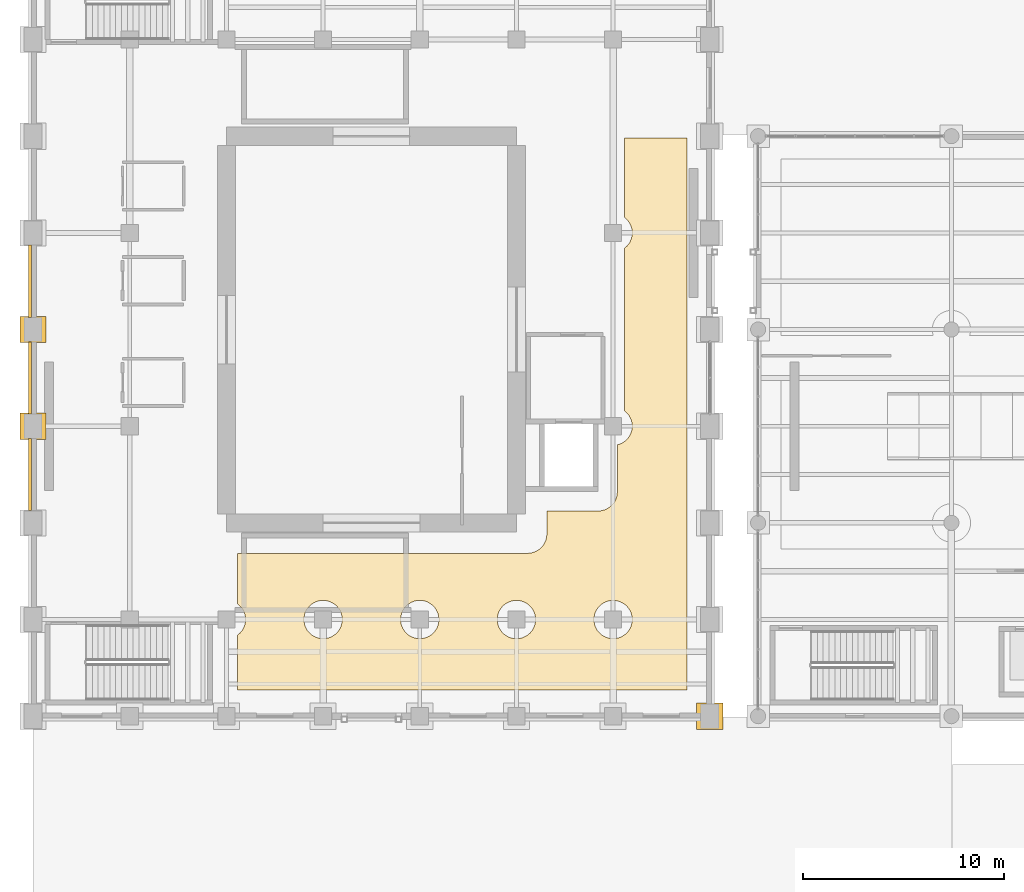
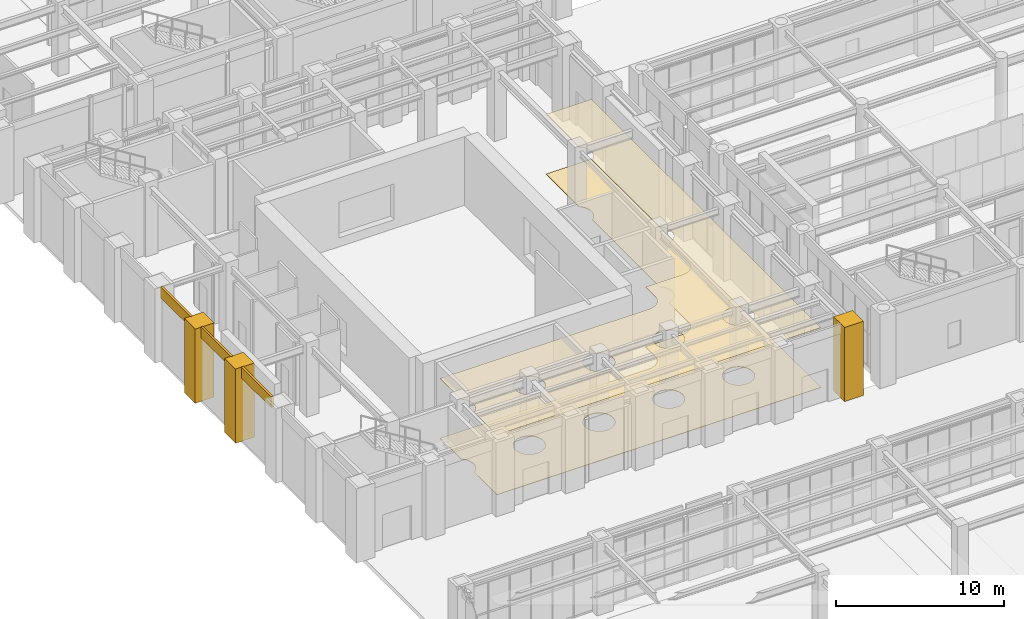
# One storey, part 144 of 164: 8 coverings.
"""IFC4 building model written with IfcOpenShell, lengths in metres."""

from ifc_helpers import new_model, si_unit, direction, frame, origin, place, context, subcontext, project, spatial, polyline, outline, extrude, material, layer, layer_set, type_object, element, save


model = new_model("IFC4")

# Units and contexts
model_context = context("Model", 3, precision=1e-05, world=origin(), true_north=direction((0.0, 1.0)))
body_context = subcontext(model_context, "Body", "Model", "MODEL_VIEW")
ifc_project = project(units=[si_unit("LENGTHUNIT", "METRE"), si_unit("AREAUNIT", "SQUARE_METRE"), si_unit("VOLUMEUNIT", "CUBIC_METRE"), si_unit("PLANEANGLEUNIT", "RADIAN"), si_unit("MASSUNIT", "GRAM", prefix="KILO")], contexts=[model_context])

# Site, building, storey
site_placement = place(None, origin())
site = spatial("IfcSite", under=ifc_project, at=site_placement, CompositionType="ELEMENT")
building_placement = place(site_placement, origin())
building = spatial("IfcBuilding", under=site, at=building_placement, Name="Mavantir Sound Aquarium", CompositionType="ELEMENT")
storey_placement = place(building_placement, origin())
storey = spatial("IfcBuildingStorey", under=building, at=storey_placement, Name="L00", CompositionType="ELEMENT", Elevation=0.0)

# Coverings
ifc_material_1 = material(Name="Moisture-Resistant Acoustic Mineral Fibre Tile")
ifc_layer_1 = layer(ifc_material_1, 0.02490234375, Name="Moisture-Resistant Acoustic Mineral Fibre Tile")
ifc_layer_set_1 = layer_set([ifc_layer_1], Name="Moisture-Resistant Acoustic Mineral Fibre Tile")
covering_type_1 = type_object("IfcCoveringType", Name="COV-CEIL-AC", PredefinedType="CEILING", material=ifc_layer_set_1)
covering_1_placement = place(storey_placement, frame((0.0, 0.0, 4.35888671875)))
element("IfcCovering", 1, at=covering_1_placement, inside=storey, type_object=covering_type_1, Name="L00 Ocean Tank Lower Pelagic Viewing Gallery suspended acoustic ceiling", PredefinedType="CEILING", context=body_context, shape_type="SweptSolid", body=[
    extrude(outline(polyline([(10.159912109375, 48.25), (10.159912109375, 48.255859375), (10.156005859375, 48.889892578125), (24.550048828125, 48.889892578125), (24.595703125, 48.89111328125), (24.6015625, 48.8916015625), (24.69384765625, 48.90087890625), (24.69970703125, 48.90185546875), (24.7763671875, 48.917236328125), (24.781982421875, 48.918701171875), (24.8701171875, 48.945068359375), (24.875732421875, 48.947021484375), (24.95703125, 48.980712890625), (24.96240234375, 48.983154296875), (25.041259765625, 49.025390625), (25.04638671875, 49.0283203125), (25.113525390625, 49.072998046875), (25.118408203125, 49.076416015625), (25.201171875, 49.14453125), (25.205322265625, 49.148681640625), (25.25146484375, 49.194580078125), (25.25537109375, 49.198974609375), (25.323486328125, 49.281494140625), (25.3271484375, 49.286376953125), (25.37158203125, 49.353759765625), (25.37451171875, 49.358642578125), (25.4169921875, 49.437744140625), (25.41943359375, 49.443115234375), (25.452880859375, 49.5244140625), (25.455078125, 49.52978515625), (25.4814453125, 49.617919921875), (25.48291015625, 49.62353515625), (25.498291015625, 49.7001953125), (25.4990234375, 49.7060546875), (25.508544921875, 49.79833984375), (25.5087890625, 49.80419921875), (25.510009765625, 49.85009765625), (25.510009765625, 50.989990234375), (28.050048828125, 50.989990234375), (28.095703125, 50.9912109375), (28.1015625, 50.991455078125), (28.19384765625, 51.0009765625), (28.19970703125, 51.001708984375), (28.2763671875, 51.01708984375), (28.281982421875, 51.0185546875), (28.3701171875, 51.044921875), (28.375732421875, 51.047119140625), (28.45703125, 51.08056640625), (28.46240234375, 51.0830078125), (28.541259765625, 51.12548828125), (28.54638671875, 51.12841796875), (28.613525390625, 51.1728515625), (28.618408203125, 51.176513671875), (28.701171875, 51.24462890625), (28.705322265625, 51.24853515625), (28.75146484375, 51.294677734375), (28.75537109375, 51.298828125), (28.823486328125, 51.381591796875), (28.8271484375, 51.386474609375), (28.87158203125, 51.45361328125), (28.87451171875, 51.458740234375), (28.9169921875, 51.53759765625), (28.91943359375, 51.54296875), (28.952880859375, 51.624267578125), (28.955078125, 51.6298828125), (28.9814453125, 51.718017578125), (28.98291015625, 51.7236328125), (28.998291015625, 51.80029296875), (28.9990234375, 51.80615234375), (29.008544921875, 51.8984375), (29.0087890625, 51.904296875), (29.010009765625, 51.949951171875), (29.010009765625, 54.2744140625), (29.07568359375, 54.291015625), (29.16357421875, 54.322265625), (29.247802734375, 54.3623046875), (29.327880859375, 54.41015625), (29.402587890625, 54.465576171875), (29.4716796875, 54.5283203125), (29.534423828125, 54.597412109375), (29.58984375, 54.672119140625), (29.6376953125, 54.752197265625), (29.677734375, 54.83642578125), (29.708984375, 54.92431640625), (29.731689453125, 55.0146484375), (29.745361328125, 55.10693359375), (29.75, 55.199951171875), (29.745361328125, 55.293212890625), (29.731689453125, 55.38525390625), (29.708984375, 55.475830078125), (29.677734375, 55.5634765625), (29.6376953125, 55.647705078125), (29.58984375, 55.727783203125), (29.534423828125, 55.802734375), (29.4716796875, 55.871826171875), (29.402587890625, 55.934326171875), (29.360107421875, 55.966064453125), (29.360107421875, 59.85009765625), (29.359130859375, 59.8798828125), (29.360107421875, 59.909912109375), (29.360107421875, 64.033935546875), (29.402587890625, 64.065673828125), (29.4716796875, 64.128173828125), (29.534423828125, 64.197265625), (29.58984375, 64.272216796875), (29.6376953125, 64.352294921875), (29.677734375, 64.4365234375), (29.708984375, 64.524169921875), (29.731689453125, 64.61474609375), (29.745361328125, 64.706787109375), (29.75, 64.800048828125), (29.745361328125, 64.89306640625), (29.731689453125, 64.9853515625), (29.708984375, 65.07568359375), (29.677734375, 65.16357421875), (29.6376953125, 65.247802734375), (29.58984375, 65.327880859375), (29.534423828125, 65.402587890625), (29.4716796875, 65.4716796875), (29.402587890625, 65.534423828125), (29.360107421875, 65.56591796875), (29.360107421875, 69.5), (32.4599609375, 69.5), (32.4599609375, 42.10009765625), (10.14990234375, 42.10009765625), (10.14990234375, 44.82666015625), (10.20263671875, 44.865478515625), (10.271728515625, 44.92822265625), (10.33447265625, 44.997314453125), (10.389892578125, 45.072265625), (10.437744140625, 45.152099609375), (10.477783203125, 45.236572265625), (10.509033203125, 45.32421875), (10.53173828125, 45.414794921875), (10.54541015625, 45.5068359375), (10.550048828125, 45.60009765625), (10.54541015625, 45.693115234375), (10.53173828125, 45.785400390625), (10.509033203125, 45.875732421875), (10.477783203125, 45.96337890625), (10.437744140625, 46.0478515625), (10.389892578125, 46.127685546875), (10.33447265625, 46.20263671875), (10.271728515625, 46.271728515625), (10.20263671875, 46.33447265625), (10.159912109375, 46.365966796875), (10.159912109375, 48.25)]), holes=[polyline([(15.134521484375, 44.997314453125), (15.18994140625, 45.072265625), (15.23779296875, 45.152099609375), (15.277587890625, 45.236572265625), (15.30908203125, 45.32421875), (15.331787109375, 45.414794921875), (15.345458984375, 45.5068359375), (15.35009765625, 45.60009765625), (15.345458984375, 45.693115234375), (15.331787109375, 45.785400390625), (15.30908203125, 45.875732421875), (15.277587890625, 45.96337890625), (15.23779296875, 46.0478515625), (15.18994140625, 46.127685546875), (15.134521484375, 46.20263671875), (15.07177734375, 46.271728515625), (15.002685546875, 46.33447265625), (14.927734375, 46.389892578125), (14.847900390625, 46.437744140625), (14.763427734375, 46.477783203125), (14.67578125, 46.509033203125), (14.585205078125, 46.53173828125), (14.4931640625, 46.54541015625), (14.39990234375, 46.550048828125), (14.306884765625, 46.54541015625), (14.214599609375, 46.53173828125), (14.124267578125, 46.509033203125), (14.03662109375, 46.477783203125), (13.9521484375, 46.437744140625), (13.872314453125, 46.389892578125), (13.79736328125, 46.33447265625), (13.728271484375, 46.271728515625), (13.66552734375, 46.20263671875), (13.610107421875, 46.127685546875), (13.562255859375, 46.0478515625), (13.522216796875, 45.96337890625), (13.490966796875, 45.875732421875), (13.46826171875, 45.785400390625), (13.45458984375, 45.693115234375), (13.449951171875, 45.60009765625), (13.45458984375, 45.5068359375), (13.46826171875, 45.414794921875), (13.490966796875, 45.32421875), (13.522216796875, 45.236572265625), (13.562255859375, 45.152099609375), (13.610107421875, 45.072265625), (13.66552734375, 44.997314453125), (13.728271484375, 44.92822265625), (13.79736328125, 44.865478515625), (13.872314453125, 44.81005859375), (13.9521484375, 44.76220703125), (14.03662109375, 44.722412109375), (14.124267578125, 44.69091796875), (14.214599609375, 44.668212890625), (14.306884765625, 44.654541015625), (14.39990234375, 44.64990234375), (14.4931640625, 44.654541015625), (14.585205078125, 44.668212890625), (14.67578125, 44.69091796875), (14.763427734375, 44.722412109375), (14.847900390625, 44.76220703125), (14.927734375, 44.81005859375), (15.002685546875, 44.865478515625), (15.07177734375, 44.92822265625), (15.134521484375, 44.997314453125)]), polyline([(19.934326171875, 44.997314453125), (19.989990234375, 45.072265625), (20.037841796875, 45.152099609375), (20.07763671875, 45.236572265625), (20.109130859375, 45.32421875), (20.131591796875, 45.414794921875), (20.1455078125, 45.5068359375), (20.14990234375, 45.60009765625), (20.1455078125, 45.693115234375), (20.131591796875, 45.785400390625), (20.109130859375, 45.875732421875), (20.07763671875, 45.96337890625), (20.037841796875, 46.0478515625), (19.989990234375, 46.127685546875), (19.934326171875, 46.20263671875), (19.871826171875, 46.271728515625), (19.802734375, 46.33447265625), (19.727783203125, 46.389892578125), (19.647705078125, 46.437744140625), (19.5634765625, 46.477783203125), (19.475830078125, 46.509033203125), (19.38525390625, 46.53173828125), (19.293212890625, 46.54541015625), (19.199951171875, 46.550048828125), (19.10693359375, 46.54541015625), (19.0146484375, 46.53173828125), (18.92431640625, 46.509033203125), (18.83642578125, 46.477783203125), (18.752197265625, 46.437744140625), (18.672119140625, 46.389892578125), (18.597412109375, 46.33447265625), (18.5283203125, 46.271728515625), (18.465576171875, 46.20263671875), (18.41015625, 46.127685546875), (18.3623046875, 46.0478515625), (18.322265625, 45.96337890625), (18.291015625, 45.875732421875), (18.268310546875, 45.785400390625), (18.254638671875, 45.693115234375), (18.25, 45.60009765625), (18.254638671875, 45.5068359375), (18.268310546875, 45.414794921875), (18.291015625, 45.32421875), (18.322265625, 45.236572265625), (18.3623046875, 45.152099609375), (18.41015625, 45.072265625), (18.465576171875, 44.997314453125), (18.5283203125, 44.92822265625), (18.597412109375, 44.865478515625), (18.672119140625, 44.81005859375), (18.752197265625, 44.76220703125), (18.83642578125, 44.722412109375), (18.92431640625, 44.69091796875), (19.0146484375, 44.668212890625), (19.10693359375, 44.654541015625), (19.199951171875, 44.64990234375), (19.293212890625, 44.654541015625), (19.38525390625, 44.668212890625), (19.475830078125, 44.69091796875), (19.5634765625, 44.722412109375), (19.647705078125, 44.76220703125), (19.727783203125, 44.81005859375), (19.802734375, 44.865478515625), (19.871826171875, 44.92822265625), (19.934326171875, 44.997314453125)]), polyline([(29.534423828125, 44.997314453125), (29.58984375, 45.072265625), (29.6376953125, 45.152099609375), (29.677734375, 45.236572265625), (29.708984375, 45.32421875), (29.731689453125, 45.414794921875), (29.745361328125, 45.5068359375), (29.75, 45.60009765625), (29.745361328125, 45.693115234375), (29.731689453125, 45.785400390625), (29.708984375, 45.875732421875), (29.677734375, 45.96337890625), (29.6376953125, 46.0478515625), (29.58984375, 46.127685546875), (29.534423828125, 46.20263671875), (29.4716796875, 46.271728515625), (29.402587890625, 46.33447265625), (29.327880859375, 46.389892578125), (29.247802734375, 46.437744140625), (29.16357421875, 46.477783203125), (29.07568359375, 46.509033203125), (28.9853515625, 46.53173828125), (28.89306640625, 46.54541015625), (28.800048828125, 46.550048828125), (28.706787109375, 46.54541015625), (28.61474609375, 46.53173828125), (28.524169921875, 46.509033203125), (28.4365234375, 46.477783203125), (28.352294921875, 46.437744140625), (28.272216796875, 46.389892578125), (28.197265625, 46.33447265625), (28.128173828125, 46.271728515625), (28.065673828125, 46.20263671875), (28.010009765625, 46.127685546875), (27.962158203125, 46.0478515625), (27.92236328125, 45.96337890625), (27.890869140625, 45.875732421875), (27.868408203125, 45.785400390625), (27.8544921875, 45.693115234375), (27.85009765625, 45.60009765625), (27.8544921875, 45.5068359375), (27.868408203125, 45.414794921875), (27.890869140625, 45.32421875), (27.92236328125, 45.236572265625), (27.962158203125, 45.152099609375), (28.010009765625, 45.072265625), (28.065673828125, 44.997314453125), (28.128173828125, 44.92822265625), (28.197265625, 44.865478515625), (28.272216796875, 44.81005859375), (28.352294921875, 44.76220703125), (28.4365234375, 44.722412109375), (28.524169921875, 44.69091796875), (28.61474609375, 44.668212890625), (28.706787109375, 44.654541015625), (28.800048828125, 44.64990234375), (28.89306640625, 44.654541015625), (28.9853515625, 44.668212890625), (29.07568359375, 44.69091796875), (29.16357421875, 44.722412109375), (29.247802734375, 44.76220703125), (29.327880859375, 44.81005859375), (29.402587890625, 44.865478515625), (29.4716796875, 44.92822265625), (29.534423828125, 44.997314453125)]), polyline([(24.734375, 44.997314453125), (24.789794921875, 45.072265625), (24.837890625, 45.152099609375), (24.877685546875, 45.236572265625), (24.9091796875, 45.32421875), (24.931640625, 45.414794921875), (24.9453125, 45.5068359375), (24.949951171875, 45.60009765625), (24.9453125, 45.693115234375), (24.931640625, 45.785400390625), (24.9091796875, 45.875732421875), (24.877685546875, 45.96337890625), (24.837890625, 46.0478515625), (24.789794921875, 46.127685546875), (24.734375, 46.20263671875), (24.671875, 46.271728515625), (24.602783203125, 46.33447265625), (24.52783203125, 46.389892578125), (24.44775390625, 46.437744140625), (24.363525390625, 46.477783203125), (24.27587890625, 46.509033203125), (24.185302734375, 46.53173828125), (24.093017578125, 46.54541015625), (24.0, 46.550048828125), (23.906982421875, 46.54541015625), (23.814697265625, 46.53173828125), (23.72412109375, 46.509033203125), (23.636474609375, 46.477783203125), (23.55224609375, 46.437744140625), (23.47216796875, 46.389892578125), (23.397216796875, 46.33447265625), (23.328125, 46.271728515625), (23.265625, 46.20263671875), (23.210205078125, 46.127685546875), (23.162109375, 46.0478515625), (23.122314453125, 45.96337890625), (23.0908203125, 45.875732421875), (23.068359375, 45.785400390625), (23.0546875, 45.693115234375), (23.050048828125, 45.60009765625), (23.0546875, 45.5068359375), (23.068359375, 45.414794921875), (23.0908203125, 45.32421875), (23.122314453125, 45.236572265625), (23.162109375, 45.152099609375), (23.210205078125, 45.072265625), (23.265625, 44.997314453125), (23.328125, 44.92822265625), (23.397216796875, 44.865478515625), (23.47216796875, 44.81005859375), (23.55224609375, 44.76220703125), (23.636474609375, 44.722412109375), (23.72412109375, 44.69091796875), (23.814697265625, 44.668212890625), (23.906982421875, 44.654541015625), (24.0, 44.64990234375), (24.093017578125, 44.654541015625), (24.185302734375, 44.668212890625), (24.27587890625, 44.69091796875), (24.363525390625, 44.722412109375), (24.44775390625, 44.76220703125), (24.52783203125, 44.81005859375), (24.602783203125, 44.865478515625), (24.671875, 44.92822265625), (24.734375, 44.997314453125)])]), origin(), (0.0, 0.0, 1.0), 0.025146484375),
])
ifc_material_2 = material(Name="Honed Coral-Limestone & Glazed Terracotta Rainscreen Cladding", Category="masonry")
ifc_layer_2 = layer(ifc_material_2, 0.06005859375, Name="Honed Coral-Limestone & Glazed Terracotta Rainscreen Cladding")
ifc_layer_set_2 = layer_set([ifc_layer_2], Name="Honed Coral-Limestone & Glazed Terracotta Rainscreen Cladding")
covering_type_2 = type_object("IfcCoveringType", Name="COV-CLAD-TC", PredefinedType="CLADDING", material=ifc_layer_set_2)
covering_2_placement = place(storey_placement, frame((0.0, 0.0, 4.60791015625)))
element("IfcCovering", 2, at=covering_2_placement, inside=storey, type_object=covering_type_2, Name="L00 Postmodern coral-limestone spandrel frieze 19", PredefinedType="CLADDING", context=body_context, shape_type="SweptSolid", body=[
    extrude(outline(polyline([(-0.090087890625, 64.19189453125), (-0.090087890625, 60.60791015625), (-0.239990234375, 60.60791015625), (-0.239990234375, 64.19189453125), (-0.090087890625, 64.19189453125)])), origin(), (0.0, 0.0, 1.0), 0.7919921875),
])
covering_3_placement = place(storey_placement, frame((0.0, 0.0, 4.60791015625)))
element("IfcCovering", 3, at=covering_3_placement, inside=storey, type_object=covering_type_2, Name="L00 Postmodern coral-limestone spandrel frieze 20", PredefinedType="CLADDING", context=body_context, shape_type="SweptSolid", body=[
    extrude(outline(polyline([(-0.090087890625, 59.39208984375), (-0.090087890625, 55.80810546875), (-0.239990234375, 55.80810546875), (-0.239990234375, 59.39208984375), (-0.090087890625, 59.39208984375)])), origin(), (0.0, 0.0, 1.0), 0.7919921875),
])
covering_4_placement = place(storey_placement, frame((0.0, 0.0, 4.60791015625)))
element("IfcCovering", 4, at=covering_4_placement, inside=storey, type_object=covering_type_2, Name="L00 Postmodern coral-limestone spandrel frieze 21", PredefinedType="CLADDING", context=body_context, shape_type="SweptSolid", body=[
    extrude(outline(polyline([(-0.090087890625, 54.592041015625), (-0.090087890625, 51.008056640625), (-0.239990234375, 51.008056640625), (-0.239990234375, 54.592041015625), (-0.090087890625, 54.592041015625)])), origin(), (0.0, 0.0, 1.0), 0.7919921875),
])
covering_5_placement = place(storey_placement, origin())
element("IfcCovering", 5, at=covering_5_placement, inside=storey, type_object=covering_type_2, Name="L00 Postmodern coral-limestone pilaster casing 13", PredefinedType="CLADDING", context=body_context, shape_type="SweptSolid", body=[
    extrude(outline(polyline([(-0.64990234375, 54.550048828125), (0.64990234375, 54.550048828125), (0.64990234375, 55.85009765625), (-0.64990234375, 55.85009765625), (-0.64990234375, 54.550048828125)])), origin(), (0.0, 0.0, 1.0), 5.39990234375),
])
covering_6_placement = place(storey_placement, origin())
element("IfcCovering", 6, at=covering_6_placement, inside=storey, type_object=covering_type_2, Name="L00 Postmodern coral-limestone pilaster casing 17", PredefinedType="CLADDING", context=body_context, shape_type="SweptSolid", body=[
    extrude(outline(polyline([(-0.64990234375, 59.35009765625), (0.64990234375, 59.35009765625), (0.64990234375, 60.64990234375), (-0.64990234375, 60.64990234375), (-0.64990234375, 59.35009765625)])), origin(), (0.0, 0.0, 1.0), 5.39990234375),
])
covering_7_placement = place(storey_placement, origin())
element("IfcCovering", 7, at=covering_7_placement, inside=storey, type_object=covering_type_2, Name="L00 Postmodern coral-limestone pilaster casing 85", PredefinedType="CLADDING", context=body_context, shape_type="SweptSolid", body=[
    extrude(outline(polyline([(32.949951171875, 40.14990234375), (34.25, 40.14990234375), (34.25, 41.449951171875), (32.949951171875, 41.449951171875), (32.949951171875, 40.14990234375)])), origin(), (0.0, 0.0, 1.0), 5.39990234375),
])
ifc_material_3 = material(Name="Marine Epoxy Recycled-Shell Terrazzo Flooring")
ifc_layer_3 = layer(ifc_material_3, 0.030029296875, Name="Marine Epoxy Recycled-Shell Terrazzo Flooring")
ifc_layer_set_3 = layer_set([ifc_layer_3], Name="Marine Epoxy Recycled-Shell Terrazzo Flooring")
covering_type_3 = type_object("IfcCoveringType", Name="COV-FLR-TZ", PredefinedType="FLOORING", material=ifc_layer_set_3)
covering_8_placement = place(storey_placement, origin())
element("IfcCovering", 8, at=covering_8_placement, inside=storey, type_object=covering_type_3, Name="L00 Ocean Tank Lower Pelagic Viewing Gallery terrazzo flooring", PredefinedType="FLOORING", context=body_context, shape_type="SweptSolid", body=[
    extrude(outline(polyline([(10.159912109375, 48.25), (10.159912109375, 48.255859375), (10.156005859375, 48.889892578125), (24.550048828125, 48.889892578125), (24.595703125, 48.89111328125), (24.6015625, 48.8916015625), (24.69384765625, 48.90087890625), (24.69970703125, 48.90185546875), (24.7763671875, 48.917236328125), (24.781982421875, 48.918701171875), (24.8701171875, 48.945068359375), (24.875732421875, 48.947021484375), (24.95703125, 48.980712890625), (24.96240234375, 48.983154296875), (25.041259765625, 49.025390625), (25.04638671875, 49.0283203125), (25.113525390625, 49.072998046875), (25.118408203125, 49.076416015625), (25.201171875, 49.14453125), (25.205322265625, 49.148681640625), (25.25146484375, 49.194580078125), (25.25537109375, 49.198974609375), (25.323486328125, 49.281494140625), (25.3271484375, 49.286376953125), (25.37158203125, 49.353759765625), (25.37451171875, 49.358642578125), (25.4169921875, 49.437744140625), (25.41943359375, 49.443115234375), (25.452880859375, 49.5244140625), (25.455078125, 49.52978515625), (25.4814453125, 49.617919921875), (25.48291015625, 49.62353515625), (25.498291015625, 49.7001953125), (25.4990234375, 49.7060546875), (25.508544921875, 49.79833984375), (25.5087890625, 49.80419921875), (25.510009765625, 49.85009765625), (25.510009765625, 50.989990234375), (28.050048828125, 50.989990234375), (28.095703125, 50.9912109375), (28.1015625, 50.991455078125), (28.19384765625, 51.0009765625), (28.19970703125, 51.001708984375), (28.2763671875, 51.01708984375), (28.281982421875, 51.0185546875), (28.3701171875, 51.044921875), (28.375732421875, 51.047119140625), (28.45703125, 51.08056640625), (28.46240234375, 51.0830078125), (28.541259765625, 51.12548828125), (28.54638671875, 51.12841796875), (28.613525390625, 51.1728515625), (28.618408203125, 51.176513671875), (28.701171875, 51.24462890625), (28.705322265625, 51.24853515625), (28.75146484375, 51.294677734375), (28.75537109375, 51.298828125), (28.823486328125, 51.381591796875), (28.8271484375, 51.386474609375), (28.87158203125, 51.45361328125), (28.87451171875, 51.458740234375), (28.9169921875, 51.53759765625), (28.91943359375, 51.54296875), (28.952880859375, 51.624267578125), (28.955078125, 51.6298828125), (28.9814453125, 51.718017578125), (28.98291015625, 51.7236328125), (28.998291015625, 51.80029296875), (28.9990234375, 51.80615234375), (29.008544921875, 51.8984375), (29.0087890625, 51.904296875), (29.010009765625, 51.949951171875), (29.010009765625, 54.2744140625), (29.07568359375, 54.291015625), (29.16357421875, 54.322265625), (29.247802734375, 54.3623046875), (29.327880859375, 54.41015625), (29.402587890625, 54.465576171875), (29.4716796875, 54.5283203125), (29.534423828125, 54.597412109375), (29.58984375, 54.672119140625), (29.6376953125, 54.752197265625), (29.677734375, 54.83642578125), (29.708984375, 54.92431640625), (29.731689453125, 55.0146484375), (29.745361328125, 55.10693359375), (29.75, 55.199951171875), (29.745361328125, 55.293212890625), (29.731689453125, 55.38525390625), (29.708984375, 55.475830078125), (29.677734375, 55.5634765625), (29.6376953125, 55.647705078125), (29.58984375, 55.727783203125), (29.534423828125, 55.802734375), (29.4716796875, 55.871826171875), (29.402587890625, 55.934326171875), (29.360107421875, 55.966064453125), (29.360107421875, 59.85009765625), (29.359130859375, 59.8798828125), (29.360107421875, 59.909912109375), (29.360107421875, 64.033935546875), (29.402587890625, 64.065673828125), (29.4716796875, 64.128173828125), (29.534423828125, 64.197265625), (29.58984375, 64.272216796875), (29.6376953125, 64.352294921875), (29.677734375, 64.4365234375), (29.708984375, 64.524169921875), (29.731689453125, 64.61474609375), (29.745361328125, 64.706787109375), (29.75, 64.800048828125), (29.745361328125, 64.89306640625), (29.731689453125, 64.9853515625), (29.708984375, 65.07568359375), (29.677734375, 65.16357421875), (29.6376953125, 65.247802734375), (29.58984375, 65.327880859375), (29.534423828125, 65.402587890625), (29.4716796875, 65.4716796875), (29.402587890625, 65.534423828125), (29.360107421875, 65.56591796875), (29.360107421875, 69.5), (32.4599609375, 69.5), (32.4599609375, 42.10009765625), (10.14990234375, 42.10009765625), (10.14990234375, 44.82666015625), (10.20263671875, 44.865478515625), (10.271728515625, 44.92822265625), (10.33447265625, 44.997314453125), (10.389892578125, 45.072265625), (10.437744140625, 45.152099609375), (10.477783203125, 45.236572265625), (10.509033203125, 45.32421875), (10.53173828125, 45.414794921875), (10.54541015625, 45.5068359375), (10.550048828125, 45.60009765625), (10.54541015625, 45.693115234375), (10.53173828125, 45.785400390625), (10.509033203125, 45.875732421875), (10.477783203125, 45.96337890625), (10.437744140625, 46.0478515625), (10.389892578125, 46.127685546875), (10.33447265625, 46.20263671875), (10.271728515625, 46.271728515625), (10.20263671875, 46.33447265625), (10.159912109375, 46.365966796875), (10.159912109375, 48.25)]), holes=[polyline([(15.134521484375, 44.997314453125), (15.18994140625, 45.072265625), (15.23779296875, 45.152099609375), (15.277587890625, 45.236572265625), (15.30908203125, 45.32421875), (15.331787109375, 45.414794921875), (15.345458984375, 45.5068359375), (15.35009765625, 45.60009765625), (15.345458984375, 45.693115234375), (15.331787109375, 45.785400390625), (15.30908203125, 45.875732421875), (15.277587890625, 45.96337890625), (15.23779296875, 46.0478515625), (15.18994140625, 46.127685546875), (15.134521484375, 46.20263671875), (15.07177734375, 46.271728515625), (15.002685546875, 46.33447265625), (14.927734375, 46.389892578125), (14.847900390625, 46.437744140625), (14.763427734375, 46.477783203125), (14.67578125, 46.509033203125), (14.585205078125, 46.53173828125), (14.4931640625, 46.54541015625), (14.39990234375, 46.550048828125), (14.306884765625, 46.54541015625), (14.214599609375, 46.53173828125), (14.124267578125, 46.509033203125), (14.03662109375, 46.477783203125), (13.9521484375, 46.437744140625), (13.872314453125, 46.389892578125), (13.79736328125, 46.33447265625), (13.728271484375, 46.271728515625), (13.66552734375, 46.20263671875), (13.610107421875, 46.127685546875), (13.562255859375, 46.0478515625), (13.522216796875, 45.96337890625), (13.490966796875, 45.875732421875), (13.46826171875, 45.785400390625), (13.45458984375, 45.693115234375), (13.449951171875, 45.60009765625), (13.45458984375, 45.5068359375), (13.46826171875, 45.414794921875), (13.490966796875, 45.32421875), (13.522216796875, 45.236572265625), (13.562255859375, 45.152099609375), (13.610107421875, 45.072265625), (13.66552734375, 44.997314453125), (13.728271484375, 44.92822265625), (13.79736328125, 44.865478515625), (13.872314453125, 44.81005859375), (13.9521484375, 44.76220703125), (14.03662109375, 44.722412109375), (14.124267578125, 44.69091796875), (14.214599609375, 44.668212890625), (14.306884765625, 44.654541015625), (14.39990234375, 44.64990234375), (14.4931640625, 44.654541015625), (14.585205078125, 44.668212890625), (14.67578125, 44.69091796875), (14.763427734375, 44.722412109375), (14.847900390625, 44.76220703125), (14.927734375, 44.81005859375), (15.002685546875, 44.865478515625), (15.07177734375, 44.92822265625), (15.134521484375, 44.997314453125)]), polyline([(19.934326171875, 44.997314453125), (19.989990234375, 45.072265625), (20.037841796875, 45.152099609375), (20.07763671875, 45.236572265625), (20.109130859375, 45.32421875), (20.131591796875, 45.414794921875), (20.1455078125, 45.5068359375), (20.14990234375, 45.60009765625), (20.1455078125, 45.693115234375), (20.131591796875, 45.785400390625), (20.109130859375, 45.875732421875), (20.07763671875, 45.96337890625), (20.037841796875, 46.0478515625), (19.989990234375, 46.127685546875), (19.934326171875, 46.20263671875), (19.871826171875, 46.271728515625), (19.802734375, 46.33447265625), (19.727783203125, 46.389892578125), (19.647705078125, 46.437744140625), (19.5634765625, 46.477783203125), (19.475830078125, 46.509033203125), (19.38525390625, 46.53173828125), (19.293212890625, 46.54541015625), (19.199951171875, 46.550048828125), (19.10693359375, 46.54541015625), (19.0146484375, 46.53173828125), (18.92431640625, 46.509033203125), (18.83642578125, 46.477783203125), (18.752197265625, 46.437744140625), (18.672119140625, 46.389892578125), (18.597412109375, 46.33447265625), (18.5283203125, 46.271728515625), (18.465576171875, 46.20263671875), (18.41015625, 46.127685546875), (18.3623046875, 46.0478515625), (18.322265625, 45.96337890625), (18.291015625, 45.875732421875), (18.268310546875, 45.785400390625), (18.254638671875, 45.693115234375), (18.25, 45.60009765625), (18.254638671875, 45.5068359375), (18.268310546875, 45.414794921875), (18.291015625, 45.32421875), (18.322265625, 45.236572265625), (18.3623046875, 45.152099609375), (18.41015625, 45.072265625), (18.465576171875, 44.997314453125), (18.5283203125, 44.92822265625), (18.597412109375, 44.865478515625), (18.672119140625, 44.81005859375), (18.752197265625, 44.76220703125), (18.83642578125, 44.722412109375), (18.92431640625, 44.69091796875), (19.0146484375, 44.668212890625), (19.10693359375, 44.654541015625), (19.199951171875, 44.64990234375), (19.293212890625, 44.654541015625), (19.38525390625, 44.668212890625), (19.475830078125, 44.69091796875), (19.5634765625, 44.722412109375), (19.647705078125, 44.76220703125), (19.727783203125, 44.81005859375), (19.802734375, 44.865478515625), (19.871826171875, 44.92822265625), (19.934326171875, 44.997314453125)]), polyline([(29.534423828125, 44.997314453125), (29.58984375, 45.072265625), (29.6376953125, 45.152099609375), (29.677734375, 45.236572265625), (29.708984375, 45.32421875), (29.731689453125, 45.414794921875), (29.745361328125, 45.5068359375), (29.75, 45.60009765625), (29.745361328125, 45.693115234375), (29.731689453125, 45.785400390625), (29.708984375, 45.875732421875), (29.677734375, 45.96337890625), (29.6376953125, 46.0478515625), (29.58984375, 46.127685546875), (29.534423828125, 46.20263671875), (29.4716796875, 46.271728515625), (29.402587890625, 46.33447265625), (29.327880859375, 46.389892578125), (29.247802734375, 46.437744140625), (29.16357421875, 46.477783203125), (29.07568359375, 46.509033203125), (28.9853515625, 46.53173828125), (28.89306640625, 46.54541015625), (28.800048828125, 46.550048828125), (28.706787109375, 46.54541015625), (28.61474609375, 46.53173828125), (28.524169921875, 46.509033203125), (28.4365234375, 46.477783203125), (28.352294921875, 46.437744140625), (28.272216796875, 46.389892578125), (28.197265625, 46.33447265625), (28.128173828125, 46.271728515625), (28.065673828125, 46.20263671875), (28.010009765625, 46.127685546875), (27.962158203125, 46.0478515625), (27.92236328125, 45.96337890625), (27.890869140625, 45.875732421875), (27.868408203125, 45.785400390625), (27.8544921875, 45.693115234375), (27.85009765625, 45.60009765625), (27.8544921875, 45.5068359375), (27.868408203125, 45.414794921875), (27.890869140625, 45.32421875), (27.92236328125, 45.236572265625), (27.962158203125, 45.152099609375), (28.010009765625, 45.072265625), (28.065673828125, 44.997314453125), (28.128173828125, 44.92822265625), (28.197265625, 44.865478515625), (28.272216796875, 44.81005859375), (28.352294921875, 44.76220703125), (28.4365234375, 44.722412109375), (28.524169921875, 44.69091796875), (28.61474609375, 44.668212890625), (28.706787109375, 44.654541015625), (28.800048828125, 44.64990234375), (28.89306640625, 44.654541015625), (28.9853515625, 44.668212890625), (29.07568359375, 44.69091796875), (29.16357421875, 44.722412109375), (29.247802734375, 44.76220703125), (29.327880859375, 44.81005859375), (29.402587890625, 44.865478515625), (29.4716796875, 44.92822265625), (29.534423828125, 44.997314453125)]), polyline([(24.734375, 44.997314453125), (24.789794921875, 45.072265625), (24.837890625, 45.152099609375), (24.877685546875, 45.236572265625), (24.9091796875, 45.32421875), (24.931640625, 45.414794921875), (24.9453125, 45.5068359375), (24.949951171875, 45.60009765625), (24.9453125, 45.693115234375), (24.931640625, 45.785400390625), (24.9091796875, 45.875732421875), (24.877685546875, 45.96337890625), (24.837890625, 46.0478515625), (24.789794921875, 46.127685546875), (24.734375, 46.20263671875), (24.671875, 46.271728515625), (24.602783203125, 46.33447265625), (24.52783203125, 46.389892578125), (24.44775390625, 46.437744140625), (24.363525390625, 46.477783203125), (24.27587890625, 46.509033203125), (24.185302734375, 46.53173828125), (24.093017578125, 46.54541015625), (24.0, 46.550048828125), (23.906982421875, 46.54541015625), (23.814697265625, 46.53173828125), (23.72412109375, 46.509033203125), (23.636474609375, 46.477783203125), (23.55224609375, 46.437744140625), (23.47216796875, 46.389892578125), (23.397216796875, 46.33447265625), (23.328125, 46.271728515625), (23.265625, 46.20263671875), (23.210205078125, 46.127685546875), (23.162109375, 46.0478515625), (23.122314453125, 45.96337890625), (23.0908203125, 45.875732421875), (23.068359375, 45.785400390625), (23.0546875, 45.693115234375), (23.050048828125, 45.60009765625), (23.0546875, 45.5068359375), (23.068359375, 45.414794921875), (23.0908203125, 45.32421875), (23.122314453125, 45.236572265625), (23.162109375, 45.152099609375), (23.210205078125, 45.072265625), (23.265625, 44.997314453125), (23.328125, 44.92822265625), (23.397216796875, 44.865478515625), (23.47216796875, 44.81005859375), (23.55224609375, 44.76220703125), (23.636474609375, 44.722412109375), (23.72412109375, 44.69091796875), (23.814697265625, 44.668212890625), (23.906982421875, 44.654541015625), (24.0, 44.64990234375), (24.093017578125, 44.654541015625), (24.185302734375, 44.668212890625), (24.27587890625, 44.69091796875), (24.363525390625, 44.722412109375), (24.44775390625, 44.76220703125), (24.52783203125, 44.81005859375), (24.602783203125, 44.865478515625), (24.671875, 44.92822265625), (24.734375, 44.997314453125)])]), origin(), (0.0, 0.0, 1.0), 0.030029296875),
])

save(model, "model.ifc")
